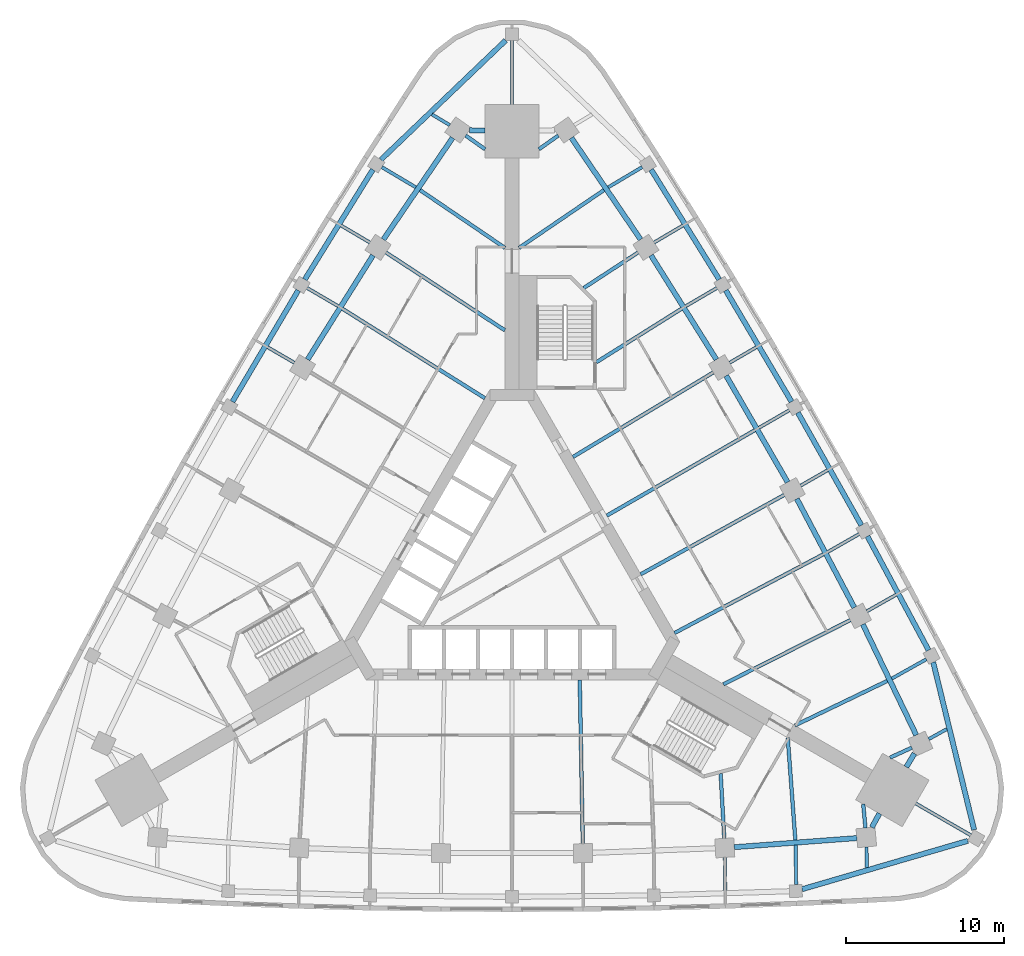
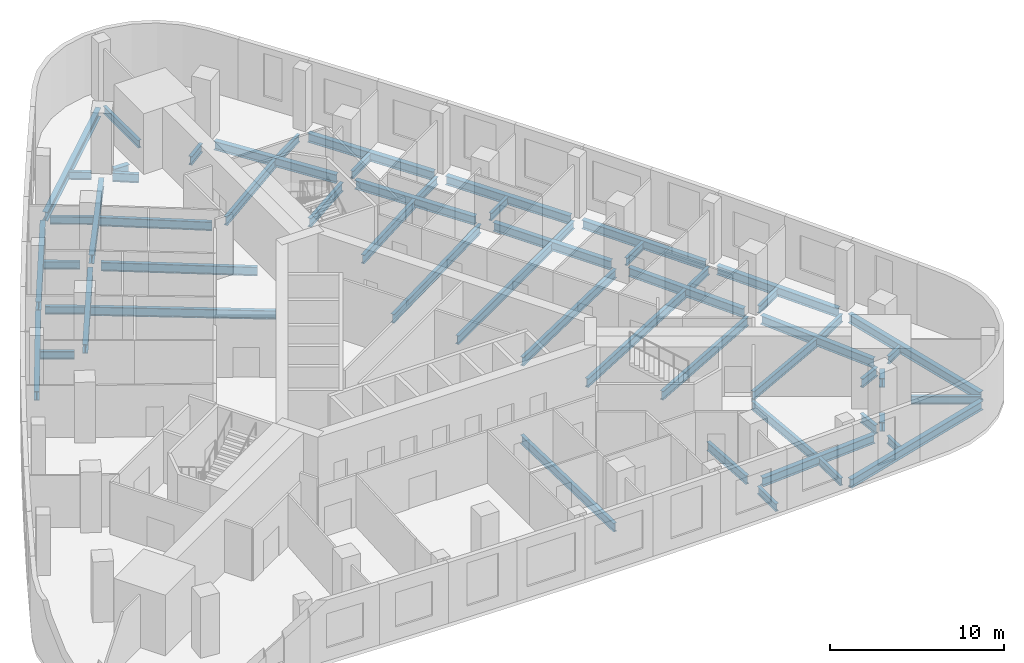
# One storey, part 2 of 11: 59 beams.
"""IFC4 building model written with IfcOpenShell, lengths in metres."""

from ifc_helpers import new_model, si_unit, direction, frame, origin, origin_2d, place, context, subcontext, project, spatial, i_section, extrude, material, material_profile, profile_set, type_object, element, save


model = new_model("IFC4")

# Units and contexts
model_context = context("Model", 3, precision=1e-05, world=origin(), true_north=direction((0.0, 1.0)))
body_context = subcontext(model_context, "Body", "Model", "MODEL_VIEW")
ifc_project = project(units=[si_unit("LENGTHUNIT", "METRE"), si_unit("AREAUNIT", "SQUARE_METRE"), si_unit("VOLUMEUNIT", "CUBIC_METRE"), si_unit("PLANEANGLEUNIT", "RADIAN"), si_unit("MASSUNIT", "GRAM", prefix="KILO")], contexts=[model_context])

# Site, building, storey
site_placement = place(None, origin())
site = spatial("IfcSite", under=ifc_project, at=site_placement, CompositionType="ELEMENT")
building_placement = place(site_placement, origin())
building = spatial("IfcBuilding", under=site, at=building_placement, Name="Noor Cloister Tower", CompositionType="ELEMENT")
storey_placement = place(building_placement, frame((0.0, 0.0, 6.0)))
storey = spatial("IfcBuildingStorey", under=building, at=storey_placement, Name="L01", CompositionType="ELEMENT", Elevation=6.0)

# Beams
ifc_material_1 = material(Name="Steel ASTM A992 Gr 50", Category="steel")
ifc_material_profile_1 = material_profile(ifc_material_1, i_section(OverallWidth=0.324951171875, OverallDepth=0.612060546875, WebThickness=0.0126953125, FlangeThickness=0.01904296875, FilletRadius=0.0126953125, at=origin_2d()), Name="W610x155")
ifc_profile_set_1 = profile_set([ifc_material_profile_1], Name="Steel ASTM A992 Gr 50")
beam_type_1 = type_object("IfcBeamType", Name="Podium column line beam W610x155", PredefinedType="BEAM", material=ifc_profile_set_1)
for number, where, z_axis, x_axis, name in (
    (1, (-3.7587890625, 27.36376953125, -0.555908203125), (-0.562836146896, -0.826568491867, 0.0), (0.826568491867, -0.562836146896, 0.0), "Podium column line beam NW 00 L01"),
    (2, (-8.7939453125, 19.9296875, -0.555908203125), (-0.531794830589, -0.846873224373, 0.0), (0.846873224373, -0.531794830589, 0.0), "Podium column line beam NW 02 L01"),
):
    element("IfcBeam", number, at=place(storey_placement, frame(where, z_axis=z_axis, x_axis=x_axis)), inside=storey, type_object=beam_type_1, Name=name, PredefinedType="BEAM", context=body_context, shape_type="SweptSolid", body=[
        extrude(i_section(OverallWidth=0.324951171875, OverallDepth=0.612060546875, WebThickness=0.0126953125, FlangeThickness=0.01904296875, FilletRadius=0.0126953125, at=origin_2d()), origin(), (0.0, 0.0, 1.0), 7.77880859375),
    ])
beam_1_placement = place(storey_placement, frame((14.060791015625, -17.513916015625, -0.555908203125), z_axis=(0.997246218275, 0.074161850945, 0.0), x_axis=(-0.074161850945, 0.997246218275, 0.0)))
element("IfcBeam", 3, at=beam_1_placement, inside=storey, type_object=beam_type_1, Name="Podium column line beam S 08 L01", PredefinedType="BEAM", context=body_context, shape_type="SweptSolid", body=[
    extrude(i_section(OverallWidth=0.324951171875, OverallDepth=0.612060546875, WebThickness=0.0126953125, FlangeThickness=0.01904296875, FilletRadius=0.0126953125, at=origin_2d()), origin(), (0.0, 0.0, 1.0), 7.779052734375),
])
for number, where, z_axis, x_axis, name in (
    (4, (25.5771484375, -10.4267578125, -0.555908203125), (-0.434400589533, 0.900719783181, 0.0), (-0.900719783181, -0.434400589533, 0.0), "Podium column line beam NE 00 L01"),
    (5, (21.65673828125, -2.34912109375, -0.555908203125), (-0.467547366886, 0.883968019624, 0.0), (-0.883968019624, -0.467547366886, 0.0), "Podium column line beam NE 02 L01"),
):
    element("IfcBeam", number, at=place(storey_placement, frame(where, z_axis=z_axis, x_axis=x_axis)), inside=storey, type_object=beam_type_1, Name=name, PredefinedType="BEAM", context=body_context, shape_type="SweptSolid", body=[
        extrude(i_section(OverallWidth=0.324951171875, OverallDepth=0.612060546875, WebThickness=0.0126953125, FlangeThickness=0.01904296875, FilletRadius=0.0126953125, at=origin_2d()), origin(), (0.0, 0.0, 1.0), 7.77880859375),
    ])
beam_2_placement = place(storey_placement, frame((17.439208984375, 5.577392578125, -0.555908203125), z_axis=(-0.499990506207, 0.866030884959, 0.0), x_axis=(-0.866030884959, -0.499990506207, 0.0)))
element("IfcBeam", 6, at=beam_2_placement, inside=storey, type_object=beam_type_1, Name="Podium column line beam NE 04 L01", PredefinedType="BEAM", context=body_context, shape_type="SweptSolid", body=[
    extrude(i_section(OverallWidth=0.324951171875, OverallDepth=0.612060546875, WebThickness=0.0126953125, FlangeThickness=0.01904296875, FilletRadius=0.0126953125, at=origin_2d()), origin(), (0.0, 0.0, 1.0), 7.779052734375),
])
for number, where, z_axis, x_axis, name in (
    (7, (12.9306640625, 13.342041015625, -0.555908203125), (-0.531794830589, 0.846873224373, 0.0), (-0.846873224373, -0.531794830589, 0.0), "Podium column line beam NE 06 L01"),
    (8, (8.136962890625, 20.93408203125, -0.555908203125), (-0.562836146896, 0.826568491867, 0.0), (-0.826568491867, -0.562836146896, 0.0), "Podium column line beam NE 08 L01"),
):
    element("IfcBeam", number, at=place(storey_placement, frame(where, z_axis=z_axis, x_axis=x_axis)), inside=storey, type_object=beam_type_1, Name=name, PredefinedType="BEAM", context=body_context, shape_type="SweptSolid", body=[
        extrude(i_section(OverallWidth=0.324951171875, OverallDepth=0.612060546875, WebThickness=0.0126953125, FlangeThickness=0.01904296875, FilletRadius=0.0126953125, at=origin_2d()), origin(), (0.0, 0.0, 1.0), 7.77880859375),
    ])
for number, where, z_axis, x_axis, name in (
    (9, (-2.6962890625, 27.8447265625, -0.555908203125), (0.999788233423, -0.020578831563, 0.0), (0.020578831563, 0.999788233423, 0.0), "Podium end beam NW 00 L01"),
    (10, (22.76611328125, -16.257568359375, -0.555908203125), (0.48185292196, 0.876252110753, 0.0), (-0.876252110753, 0.48185292196, 0.0), "Podium end beam S 10 L01"),
    (11, (25.46240234375, -11.58740234375, -0.555908203125), (-0.517698861359, -0.855562907651, 0.0), (0.855562907651, -0.517698861359, 0.0), "Podium end beam NE 00 L01"),
):
    element("IfcBeam", number, at=place(storey_placement, frame(where, z_axis=z_axis, x_axis=x_axis)), inside=storey, type_object=beam_type_1, Name=name, PredefinedType="BEAM", context=body_context, shape_type="SweptSolid", body=[
        extrude(i_section(OverallWidth=0.324951171875, OverallDepth=0.612060546875, WebThickness=0.0126953125, FlangeThickness=0.01904296875, FilletRadius=0.0126953125, at=origin_2d()), origin(), (0.0, 0.0, 1.0), 0.99658203125),
    ])
ifc_material_2 = material(Name="Steel ASTM A992 Gr 50", Category="steel")
ifc_material_profile_2 = material_profile(ifc_material_2, i_section(OverallWidth=0.324951171875, OverallDepth=0.616943359375, WebThickness=0.013916015625, FlangeThickness=0.021484375, FilletRadius=0.0126953125, at=origin_2d()), Name="W610x174")
ifc_profile_set_2 = profile_set([ifc_material_profile_2], Name="Steel ASTM A992 Gr 50")
beam_type_2 = type_object("IfcBeamType", Name="Podium perimeter beam W610x174", PredefinedType="BEAM", material=ifc_profile_set_2)
beam_3_placement = place(storey_placement, frame((-0.39990234375, 33.530517578125, -0.55859375), z_axis=(-0.722642827837, -0.691221631154, 0.0), x_axis=(0.691221631154, -0.722642827837, 0.0)))
element("IfcBeam", 12, at=beam_3_placement, inside=storey, type_object=beam_type_2, Name="Podium perimeter beam 01 L01", PredefinedType="BEAM", context=body_context, shape_type="SweptSolid", body=[
    extrude(i_section(OverallWidth=0.324951171875, OverallDepth=0.616943359375, WebThickness=0.013916015625, FlangeThickness=0.021484375, FilletRadius=0.0126953125, at=origin_2d()), origin(), (0.0, 0.0, 1.0), 10.924560546875),
])
beam_4_placement = place(storey_placement, frame((-8.802978515625, 25.3544921875, -0.55859375), z_axis=(-0.526431670639, -0.85021744051, 0.0), x_axis=(0.85021744051, -0.526431670639, 0.0)))
element("IfcBeam", 13, at=beam_4_placement, inside=storey, type_object=beam_type_2, Name="Podium perimeter beam 02 L01", PredefinedType="BEAM", context=body_context, shape_type="SweptSolid", body=[
    extrude(i_section(OverallWidth=0.324951171875, OverallDepth=0.616943359375, WebThickness=0.013916015625, FlangeThickness=0.021484375, FilletRadius=0.0126953125, at=origin_2d()), origin(), (0.0, 0.0, 1.0), 8.180419921875),
])
beam_5_placement = place(storey_placement, frame((-13.5234375, 17.71484375, -0.55859375), z_axis=(-0.508871084259, -0.860842738022, 0.0), x_axis=(0.860842738022, -0.508871084259, 0.0)))
element("IfcBeam", 14, at=beam_5_placement, inside=storey, type_object=beam_type_2, Name="Podium perimeter beam 03 L01", PredefinedType="BEAM", context=body_context, shape_type="SweptSolid", body=[
    extrude(i_section(OverallWidth=0.324951171875, OverallDepth=0.616943359375, WebThickness=0.013916015625, FlangeThickness=0.021484375, FilletRadius=0.0126953125, at=origin_2d()), origin(), (0.0, 0.0, 1.0), 8.18017578125),
])
for number, where, z_axis, x_axis, name in (
    (15, (18.3515625, -20.1728515625, -0.55859375), (0.959935397728, 0.280221398522, 0.0), (-0.280221398522, 0.959935397728, 0.0), "Podium perimeter beam 12 L01"),
    (16, (29.23828125, -16.4189453125, -0.55859375), (-0.237289539542, 0.971438971024, 0.0), (-0.971438971024, -0.237289539542, 0.0), "Podium perimeter beam 13 L01"),
):
    element("IfcBeam", number, at=place(storey_placement, frame(where, z_axis=z_axis, x_axis=x_axis)), inside=storey, type_object=beam_type_2, Name=name, PredefinedType="BEAM", context=body_context, shape_type="SweptSolid", body=[
        extrude(i_section(OverallWidth=0.324951171875, OverallDepth=0.616943359375, WebThickness=0.013916015625, FlangeThickness=0.021484375, FilletRadius=0.0126953125, at=origin_2d()), origin(), (0.0, 0.0, 1.0), 10.924560546875),
    ])
for number, where, z_axis, x_axis, name in (
    (17, (26.35888671875, -5.0537109375, -0.55859375), (-0.47307258725, 0.881023454394, 0.0), (-0.881023454394, -0.47307258725, 0.0), "Podium perimeter beam 14 L01"),
    (18, (22.103271484375, 2.854248046875, -0.55859375), (-0.491071539523, 0.871119247331, 0.0), (-0.871119247331, -0.491071539523, 0.0), "Podium perimeter beam 15 L01"),
    (19, (17.68603515625, 10.673095703125, -0.55859375), (-0.508871084259, 0.860842738022, 0.0), (-0.860842738022, -0.508871084259, 0.0), "Podium perimeter beam 16 L01"),
):
    element("IfcBeam", number, at=place(storey_placement, frame(where, z_axis=z_axis, x_axis=x_axis)), inside=storey, type_object=beam_type_2, Name=name, PredefinedType="BEAM", context=body_context, shape_type="SweptSolid", body=[
        extrude(i_section(OverallWidth=0.324951171875, OverallDepth=0.616943359375, WebThickness=0.013916015625, FlangeThickness=0.021484375, FilletRadius=0.0126953125, at=origin_2d()), origin(), (0.0, 0.0, 1.0), 8.18017578125),
    ])
beam_6_placement = place(storey_placement, frame((13.109375, 18.3994140625, -0.55859375), z_axis=(-0.526431670639, 0.85021744051, 0.0), x_axis=(-0.85021744051, -0.526431670639, 0.0)))
element("IfcBeam", 20, at=beam_6_placement, inside=storey, type_object=beam_type_2, Name="Podium perimeter beam 17 L01", PredefinedType="BEAM", context=body_context, shape_type="SweptSolid", body=[
    extrude(i_section(OverallWidth=0.324951171875, OverallDepth=0.616943359375, WebThickness=0.013916015625, FlangeThickness=0.021484375, FilletRadius=0.0126953125, at=origin_2d()), origin(), (0.0, 0.0, 1.0), 8.180419921875),
])
ifc_material_3 = material(Name="Steel ASTM A992 Gr 50", Category="steel")
ifc_material_profile_3 = material_profile(ifc_material_3, i_section(OverallWidth=0.22900390625, OverallDepth=0.612060546875, WebThickness=0.011962890625, FlangeThickness=0.01953125, FilletRadius=0.0126953125, at=origin_2d()), Name="W610x125")
ifc_profile_set_3 = profile_set([ifc_material_profile_3], Name="Steel ASTM A992 Gr 50")
beam_type_3 = type_object("IfcBeamType", Name="Podium radial beam W610x125", PredefinedType="BEAM", material=ifc_profile_set_3)
beam_7_placement = place(storey_placement, frame((-2.931396484375, 27.512939453125, -0.555908203125), z_axis=(0.816011763041, -0.578035295271, 0.0), x_axis=(0.578035295271, 0.816011763041, 0.0)))
element("IfcBeam", 21, at=beam_7_placement, inside=storey, type_object=beam_type_3, Name="Podium radial beam NW 00 L01", PredefinedType="BEAM", context=body_context, shape_type="SweptSolid", body=[
    extrude(i_section(OverallWidth=0.22900390625, OverallDepth=0.612060546875, WebThickness=0.011962890625, FlangeThickness=0.01953125, FilletRadius=0.0126953125, at=origin_2d()), origin(), (0.0, 0.0, 1.0), 1.509033203125),
])
beam_8_placement = place(storey_placement, frame((-5.813720703125, 24.057373046875, -0.555908203125), z_axis=(0.826586958388, -0.562809026423, 0.0), x_axis=(0.562809026423, 0.826586958388, 0.0)))
element("IfcBeam", 22, at=beam_8_placement, inside=storey, type_object=beam_type_3, Name="Podium radial beam NW 01 L01", PredefinedType="BEAM", context=body_context, shape_type="SweptSolid", body=[
    extrude(i_section(OverallWidth=0.22900390625, OverallDepth=0.612060546875, WebThickness=0.011962890625, FlangeThickness=0.01953125, FilletRadius=0.0126953125, at=origin_2d()), origin(), (0.0, 0.0, 1.0), 6.489013671875),
])
beam_9_placement = place(storey_placement, frame((-7.97265625, 20.109619140625, -0.555908203125), z_axis=(0.836869601911, -0.547402292101, 0.0), x_axis=(0.547402292101, 0.836869601911, 0.0)))
element("IfcBeam", 23, at=beam_9_placement, inside=storey, type_object=beam_type_3, Name="Podium radial beam NW 02 L01", PredefinedType="BEAM", context=body_context, shape_type="SweptSolid", body=[
    extrude(i_section(OverallWidth=0.22900390625, OverallDepth=0.612060546875, WebThickness=0.011962890625, FlangeThickness=0.01953125, FilletRadius=0.0126953125, at=origin_2d()), origin(), (0.0, 0.0, 1.0), 8.989013671875),
])
beam_10_placement = place(storey_placement, frame((-10.724609375, 16.549560546875, -0.555908203125), z_axis=(0.846875091453, -0.531791857287, 0.0), x_axis=(0.531791857287, 0.846875091453, 0.0)))
element("IfcBeam", 24, at=beam_10_placement, inside=storey, type_object=beam_type_3, Name="Podium radial beam NW 03 L01", PredefinedType="BEAM", context=body_context, shape_type="SweptSolid", body=[
    extrude(i_section(OverallWidth=0.22900390625, OverallDepth=0.612060546875, WebThickness=0.011962890625, FlangeThickness=0.01953125, FilletRadius=0.0126953125, at=origin_2d()), origin(), (0.0, 0.0, 1.0), 10.6416015625),
])
beam_11_placement = place(storey_placement, frame((4.478515625, -17.29150390625, -0.555908203125), z_axis=(-0.018560692037, 0.999827735518, 0.0), x_axis=(-0.999827735518, -0.018560692037, 0.0)))
element("IfcBeam", 25, at=beam_11_placement, inside=storey, type_object=beam_type_3, Name="Podium radial beam S 06 L01", PredefinedType="BEAM", context=body_context, shape_type="SweptSolid", body=[
    extrude(i_section(OverallWidth=0.22900390625, OverallDepth=0.612060546875, WebThickness=0.011962890625, FlangeThickness=0.01953125, FilletRadius=0.0126953125, at=origin_2d()), origin(), (0.0, 0.0, 1.0), 10.364990234375),
])
beam_12_placement = place(storey_placement, frame((13.428955078125, -16.959228515625, -0.555908203125), z_axis=(-0.055591728913, 0.998453584137, 0.0), x_axis=(-0.998453584137, -0.055591728913, 0.0)))
element("IfcBeam", 26, at=beam_12_placement, inside=storey, type_object=beam_type_3, Name="Podium radial beam S 08 L01", PredefinedType="BEAM", context=body_context, shape_type="SweptSolid", body=[
    extrude(i_section(OverallWidth=0.22900390625, OverallDepth=0.612060546875, WebThickness=0.011962890625, FlangeThickness=0.01953125, FilletRadius=0.0126953125, at=origin_2d()), origin(), (0.0, 0.0, 1.0), 4.110595703125),
])
beam_13_placement = place(storey_placement, frame((17.927490234375, -17.0634765625, -0.555908203125), z_axis=(-0.074118366359, 0.997249451125, 0.0), x_axis=(-0.997249451125, -0.074118366359, 0.0)))
element("IfcBeam", 27, at=beam_13_placement, inside=storey, type_object=beam_type_3, Name="Podium radial beam S 09 L01", PredefinedType="BEAM", context=body_context, shape_type="SweptSolid", body=[
    extrude(i_section(OverallWidth=0.22900390625, OverallDepth=0.612060546875, WebThickness=0.011962890625, FlangeThickness=0.01953125, FilletRadius=0.0126953125, at=origin_2d()), origin(), (0.0, 0.0, 1.0), 6.489013671875),
])
for number, where, z_axis, x_axis, name in (
    (28, (22.361328125, -16.295166015625, -0.555908203125), (-0.09269423525, 0.995694621233, 0.0), (-0.995694621233, -0.09269423525, 0.0), "Podium radial beam S 10 L01"),
    (29, (25.292724609375, -11.2177734375, -0.555908203125), (-0.908602193803, -0.417662607157, 0.0), (0.417662607157, -0.908602193803, 0.0), "Podium radial beam NE 00 L01"),
):
    element("IfcBeam", number, at=place(storey_placement, frame(where, z_axis=z_axis, x_axis=x_axis)), inside=storey, type_object=beam_type_3, Name=name, PredefinedType="BEAM", context=body_context, shape_type="SweptSolid", body=[
        extrude(i_section(OverallWidth=0.22900390625, OverallDepth=0.612060546875, WebThickness=0.011962890625, FlangeThickness=0.01953125, FilletRadius=0.0126953125, at=origin_2d()), origin(), (0.0, 0.0, 1.0), 1.50927734375),
    ])
beam_14_placement = place(storey_placement, frame((23.7412109375, -6.993896484375, -0.555908203125), z_axis=(-0.900702438264, -0.43443655199, 0.0), x_axis=(0.43443655199, -0.900702438264, 0.0)))
element("IfcBeam", 30, at=beam_14_placement, inside=storey, type_object=beam_type_3, Name="Podium radial beam NE 01 L01", PredefinedType="BEAM", context=body_context, shape_type="SweptSolid", body=[
    extrude(i_section(OverallWidth=0.22900390625, OverallDepth=0.612060546875, WebThickness=0.011962890625, FlangeThickness=0.01953125, FilletRadius=0.0126953125, at=origin_2d()), origin(), (0.0, 0.0, 1.0), 6.489013671875),
])
beam_15_placement = place(storey_placement, frame((21.401611328125, -3.150146484375, -0.555908203125), z_axis=(-0.892490546955, -0.451066096705, 0.0), x_axis=(0.451066096705, -0.892490546955, 0.0)))
element("IfcBeam", 31, at=beam_15_placement, inside=storey, type_object=beam_type_3, Name="Podium radial beam NE 02 L01", PredefinedType="BEAM", context=body_context, shape_type="SweptSolid", body=[
    extrude(i_section(OverallWidth=0.22900390625, OverallDepth=0.612060546875, WebThickness=0.011962890625, FlangeThickness=0.01953125, FilletRadius=0.0126953125, at=origin_2d()), origin(), (0.0, 0.0, 1.0), 8.989013671875),
])
beam_16_placement = place(storey_placement, frame((19.694580078125, 1.01318359375, -0.555908203125), z_axis=(-0.883975349121, -0.467533509116, 0.0), x_axis=(0.467533509116, -0.883975349121, 0.0)))
element("IfcBeam", 32, at=beam_16_placement, inside=storey, type_object=beam_type_3, Name="Podium radial beam NE 03 L01", PredefinedType="BEAM", context=body_context, shape_type="SweptSolid", body=[
    extrude(i_section(OverallWidth=0.22900390625, OverallDepth=0.612060546875, WebThickness=0.011962890625, FlangeThickness=0.01953125, FilletRadius=0.0126953125, at=origin_2d()), origin(), (0.0, 0.0, 1.0), 10.6416015625),
])
beam_17_placement = place(storey_placement, frame((17.214111328125, 4.767333984375, -0.555908203125), z_axis=(-0.875152039929, -0.483848020568, 0.0), x_axis=(0.483848020568, -0.875152039929, 0.0)))
element("IfcBeam", 33, at=beam_17_placement, inside=storey, type_object=beam_type_3, Name="Podium radial beam NE 04 L01", PredefinedType="BEAM", context=body_context, shape_type="SweptSolid", body=[
    extrude(i_section(OverallWidth=0.22900390625, OverallDepth=0.612060546875, WebThickness=0.011962890625, FlangeThickness=0.01953125, FilletRadius=0.0126953125, at=origin_2d()), origin(), (0.0, 0.0, 1.0), 10.364990234375),
])
beam_18_placement = place(storey_placement, frame((15.353759765625, 8.864501953125, -0.555908203125), z_axis=(-0.866025607992, -0.499999646302, 0.0), x_axis=(0.499999646302, -0.866025607992, 0.0)))
element("IfcBeam", 34, at=beam_18_placement, inside=storey, type_object=beam_type_3, Name="Podium radial beam NE 05 L01", PredefinedType="BEAM", context=body_context, shape_type="SweptSolid", body=[
    extrude(i_section(OverallWidth=0.22900390625, OverallDepth=0.612060546875, WebThickness=0.011962890625, FlangeThickness=0.01953125, FilletRadius=0.0126953125, at=origin_2d()), origin(), (0.0, 0.0, 1.0), 10.80078125),
])
beam_19_placement = place(storey_placement, frame((12.73583984375, 12.524169921875, -0.555908203125), z_axis=(-0.856606308575, -0.515970572911, 0.0), x_axis=(0.515970572911, -0.856606308575, 0.0)))
element("IfcBeam", 35, at=beam_19_placement, inside=storey, type_object=beam_type_3, Name="Podium radial beam NE 06 L01", PredefinedType="BEAM", context=body_context, shape_type="SweptSolid", body=[
    extrude(i_section(OverallWidth=0.22900390625, OverallDepth=0.612060546875, WebThickness=0.011962890625, FlangeThickness=0.01953125, FilletRadius=0.0126953125, at=origin_2d()), origin(), (0.0, 0.0, 1.0), 10.365234375),
])
beam_20_placement = place(storey_placement, frame((10.724609375, 16.549560546875, -0.555908203125), z_axis=(-0.846869093356, -0.531801409098, 0.0), x_axis=(0.531801409098, -0.846869093356, 0.0)))
element("IfcBeam", 36, at=beam_20_placement, inside=storey, type_object=beam_type_3, Name="Podium radial beam NE 07 L01", PredefinedType="BEAM", context=body_context, shape_type="SweptSolid", body=[
    extrude(i_section(OverallWidth=0.22900390625, OverallDepth=0.612060546875, WebThickness=0.011962890625, FlangeThickness=0.01953125, FilletRadius=0.0126953125, at=origin_2d()), origin(), (0.0, 0.0, 1.0), 6.36328125),
])
beam_21_placement = place(storey_placement, frame((7.97265625, 20.109619140625, -0.555908203125), z_axis=(-0.836852408304, -0.547428576816, 0.0), x_axis=(0.547428576816, -0.836852408304, 0.0)))
element("IfcBeam", 37, at=beam_21_placement, inside=storey, type_object=beam_type_3, Name="Podium radial beam NE 08 L01", PredefinedType="BEAM", context=body_context, shape_type="SweptSolid", body=[
    extrude(i_section(OverallWidth=0.22900390625, OverallDepth=0.612060546875, WebThickness=0.011962890625, FlangeThickness=0.01953125, FilletRadius=0.0126953125, at=origin_2d()), origin(), (0.0, 0.0, 1.0), 4.110595703125),
])
beam_22_placement = place(storey_placement, frame((5.813720703125, 24.057373046875, -0.555908203125), z_axis=(-0.826586958388, -0.562809026423, 0.0), x_axis=(0.562809026423, -0.826586958388, 0.0)))
element("IfcBeam", 38, at=beam_22_placement, inside=storey, type_object=beam_type_3, Name="Podium radial beam NE 09 L01", PredefinedType="BEAM", context=body_context, shape_type="SweptSolid", body=[
    extrude(i_section(OverallWidth=0.22900390625, OverallDepth=0.612060546875, WebThickness=0.011962890625, FlangeThickness=0.01953125, FilletRadius=0.0126953125, at=origin_2d()), origin(), (0.0, 0.0, 1.0), 6.489013671875),
])
beam_23_placement = place(storey_placement, frame((2.931396484375, 27.512939453125, -0.555908203125), z_axis=(-0.816011763041, -0.578035295271, 0.0), x_axis=(0.578035295271, -0.816011763041, 0.0)))
element("IfcBeam", 39, at=beam_23_placement, inside=storey, type_object=beam_type_3, Name="Podium radial beam NE 10 L01", PredefinedType="BEAM", context=body_context, shape_type="SweptSolid", body=[
    extrude(i_section(OverallWidth=0.22900390625, OverallDepth=0.612060546875, WebThickness=0.011962890625, FlangeThickness=0.01953125, FilletRadius=0.0126953125, at=origin_2d()), origin(), (0.0, 0.0, 1.0), 1.509033203125),
])
ifc_material_4 = material(Name="Steel ASTM A992 Gr 50", Category="steel")
ifc_material_profile_4 = material_profile(ifc_material_4, i_section(OverallWidth=0.208984375, OverallDepth=0.532958984375, WebThickness=0.01025390625, FlangeThickness=0.015625, FilletRadius=0.0126953125, at=origin_2d()), Name="W530x92")
ifc_profile_set_4 = profile_set([ifc_material_profile_4], Name="Steel ASTM A992 Gr 50")
beam_type_4 = type_object("IfcBeamType", Name="Podium stub beam W530x92", PredefinedType="BEAM", material=ifc_profile_set_4)
beam_24_placement = place(storey_placement, frame((-3.936767578125, 28.169921875, -0.5166015625), z_axis=(-0.85703318355, 0.515261217534, 0.0), x_axis=(-0.515261217534, -0.85703318355, 0.0)))
element("IfcBeam", 40, at=beam_24_placement, inside=storey, type_object=beam_type_4, Name="Podium stub beam NW 00 L01", PredefinedType="BEAM", context=body_context, shape_type="SweptSolid", body=[
    extrude(i_section(OverallWidth=0.208984375, OverallDepth=0.532958984375, WebThickness=0.01025390625, FlangeThickness=0.015625, FilletRadius=0.0126953125, at=origin_2d()), origin(), (0.0, 0.0, 1.0), 1.31298828125),
])
beam_25_placement = place(storey_placement, frame((-6.08642578125, 24.234375, -0.5166015625), z_axis=(-0.859392031869, 0.511317255292, 0.0), x_axis=(-0.511317255292, -0.859392031869, 0.0)))
element("IfcBeam", 41, at=beam_25_placement, inside=storey, type_object=beam_type_4, Name="Podium stub beam NW 01 L01", PredefinedType="BEAM", context=body_context, shape_type="SweptSolid", body=[
    extrude(i_section(OverallWidth=0.208984375, OverallDepth=0.532958984375, WebThickness=0.01025390625, FlangeThickness=0.015625, FilletRadius=0.0126953125, at=origin_2d()), origin(), (0.0, 0.0, 1.0), 2.4990234375),
])
beam_26_placement = place(storey_placement, frame((-8.9921875, 20.7431640625, -0.5166015625), z_axis=(-0.861388026726, 0.507947504583, 0.0), x_axis=(-0.507947504583, -0.861388026726, 0.0)))
element("IfcBeam", 42, at=beam_26_placement, inside=storey, type_object=beam_type_4, Name="Podium stub beam NW 02 L01", PredefinedType="BEAM", context=body_context, shape_type="SweptSolid", body=[
    extrude(i_section(OverallWidth=0.208984375, OverallDepth=0.532958984375, WebThickness=0.01025390625, FlangeThickness=0.015625, FilletRadius=0.0126953125, at=origin_2d()), origin(), (0.0, 0.0, 1.0), 2.104736328125),
])
beam_27_placement = place(storey_placement, frame((-11.001953125, 16.71923828125, -0.5166015625), z_axis=(-0.863117063039, 0.505003896511, 0.0), x_axis=(-0.505003896511, -0.863117063039, 0.0)))
element("IfcBeam", 43, at=beam_27_placement, inside=storey, type_object=beam_type_4, Name="Podium stub beam NW 03 L01", PredefinedType="BEAM", context=body_context, shape_type="SweptSolid", body=[
    extrude(i_section(OverallWidth=0.208984375, OverallDepth=0.532958984375, WebThickness=0.01025390625, FlangeThickness=0.015625, FilletRadius=0.0126953125, at=origin_2d()), origin(), (0.0, 0.0, 1.0), 2.277099609375),
])
beam_28_placement = place(storey_placement, frame((-13.7685546875, 13.13525390625, -0.5166015625), z_axis=(-0.864596671595, 0.502466511786, 0.0), x_axis=(-0.502466511786, -0.864596671595, 0.0)))
element("IfcBeam", 44, at=beam_28_placement, inside=storey, type_object=beam_type_4, Name="Podium stub beam NW 04 L01", PredefinedType="BEAM", context=body_context, shape_type="SweptSolid", body=[
    extrude(i_section(OverallWidth=0.208984375, OverallDepth=0.532958984375, WebThickness=0.01025390625, FlangeThickness=0.015625, FilletRadius=0.0126953125, at=origin_2d()), origin(), (0.0, 0.0, 1.0), 1.95703125),
])
beam_29_placement = place(storey_placement, frame((13.468017578125, -18.158935546875, -0.5166015625), z_axis=(0.009163285382, -0.999958016219, 0.0), x_axis=(0.999958016219, 0.009163285382, 0.0)))
element("IfcBeam", 45, at=beam_29_placement, inside=storey, type_object=beam_type_4, Name="Podium stub beam S 08 L01", PredefinedType="BEAM", context=body_context, shape_type="SweptSolid", body=[
    extrude(i_section(OverallWidth=0.208984375, OverallDepth=0.532958984375, WebThickness=0.01025390625, FlangeThickness=0.015625, FilletRadius=0.0126953125, at=origin_2d()), origin(), (0.0, 0.0, 1.0), 2.104736328125),
])
beam_30_placement = place(storey_placement, frame((17.9443359375, -17.38818359375, -0.5166015625), z_axis=(0.013089929593, -0.999914323201, 0.0), x_axis=(0.999914323201, 0.013089929593, 0.0)))
element("IfcBeam", 46, at=beam_30_placement, inside=storey, type_object=beam_type_4, Name="Podium stub beam S 09 L01", PredefinedType="BEAM", context=body_context, shape_type="SweptSolid", body=[
    extrude(i_section(OverallWidth=0.208984375, OverallDepth=0.532958984375, WebThickness=0.01025390625, FlangeThickness=0.015625, FilletRadius=0.0126953125, at=origin_2d()), origin(), (0.0, 0.0, 1.0), 2.499267578125),
])
beam_31_placement = place(storey_placement, frame((22.427490234375, -17.494140625, -0.5166015625), z_axis=(0.017661803966, -0.999844018175, 0.0), x_axis=(0.999844018175, 0.017661803966, 0.0)))
element("IfcBeam", 47, at=beam_31_placement, inside=storey, type_object=beam_type_4, Name="Podium stub beam S 10 L01", PredefinedType="BEAM", context=body_context, shape_type="SweptSolid", body=[
    extrude(i_section(OverallWidth=0.208984375, OverallDepth=0.532958984375, WebThickness=0.01025390625, FlangeThickness=0.015625, FilletRadius=0.0126953125, at=origin_2d()), origin(), (0.0, 0.0, 1.0), 1.313232421875),
])
beam_32_placement = place(storey_placement, frame((26.3642578125, -10.675537109375, -0.5166015625), z_axis=(0.874735573686, 0.484600532531, 0.0), x_axis=(-0.484600532531, 0.874735573686, 0.0)))
element("IfcBeam", 48, at=beam_32_placement, inside=storey, type_object=beam_type_4, Name="Podium stub beam NE 00 L01", PredefinedType="BEAM", context=body_context, shape_type="SweptSolid", body=[
    extrude(i_section(OverallWidth=0.208984375, OverallDepth=0.532958984375, WebThickness=0.01025390625, FlangeThickness=0.015625, FilletRadius=0.0126953125, at=origin_2d()), origin(), (0.0, 0.0, 1.0), 1.31298828125),
])
beam_33_placement = place(storey_placement, frame((24.03076171875, -6.84619140625, -0.5166015625), z_axis=(0.872502684482, 0.488609317933, 0.0), x_axis=(-0.488609317933, 0.872502684482, 0.0)))
element("IfcBeam", 49, at=beam_33_placement, inside=storey, type_object=beam_type_4, Name="Podium stub beam NE 01 L01", PredefinedType="BEAM", context=body_context, shape_type="SweptSolid", body=[
    extrude(i_section(OverallWidth=0.208984375, OverallDepth=0.532958984375, WebThickness=0.01025390625, FlangeThickness=0.015625, FilletRadius=0.0126953125, at=origin_2d()), origin(), (0.0, 0.0, 1.0), 2.499267578125),
])
beam_34_placement = place(storey_placement, frame((22.460205078125, -2.583984375, -0.5166015625), z_axis=(0.870610366402, 0.491973159748, 0.0), x_axis=(-0.491973159748, 0.870610366402, 0.0)))
element("IfcBeam", 50, at=beam_34_placement, inside=storey, type_object=beam_type_4, Name="Podium stub beam NE 02 L01", PredefinedType="BEAM", context=body_context, shape_type="SweptSolid", body=[
    extrude(i_section(OverallWidth=0.208984375, OverallDepth=0.532958984375, WebThickness=0.01025390625, FlangeThickness=0.015625, FilletRadius=0.0126953125, at=origin_2d()), origin(), (0.0, 0.0, 1.0), 2.1044921875),
])
beam_35_placement = place(storey_placement, frame((19.980224609375, 1.16845703125, -0.5166015625), z_axis=(0.868954795395, 0.494891466446, 0.0), x_axis=(-0.494891466446, 0.868954795395, 0.0)))
element("IfcBeam", 51, at=beam_35_placement, inside=storey, type_object=beam_type_4, Name="Podium stub beam NE 03 L01", PredefinedType="BEAM", context=body_context, shape_type="SweptSolid", body=[
    extrude(i_section(OverallWidth=0.208984375, OverallDepth=0.532958984375, WebThickness=0.01025390625, FlangeThickness=0.015625, FilletRadius=0.0126953125, at=origin_2d()), origin(), (0.0, 0.0, 1.0), 2.277099609375),
])
beam_36_placement = place(storey_placement, frame((18.259765625, 5.356201171875, -0.5166015625), z_axis=(0.867389720101, 0.497629453974, 0.0), x_axis=(-0.497629453974, 0.867389720101, 0.0)))
element("IfcBeam", 52, at=beam_36_placement, inside=storey, type_object=beam_type_4, Name="Podium stub beam NE 04 L01", PredefinedType="BEAM", context=body_context, shape_type="SweptSolid", body=[
    extrude(i_section(OverallWidth=0.208984375, OverallDepth=0.532958984375, WebThickness=0.01025390625, FlangeThickness=0.015625, FilletRadius=0.0126953125, at=origin_2d()), origin(), (0.0, 0.0, 1.0), 1.95703125),
])
beam_37_placement = place(storey_placement, frame((15.63525390625, 9.027099609375, -0.5166015625), z_axis=(0.86602503688, 0.500000635496, 0.0), x_axis=(-0.500000635496, 0.86602503688, 0.0)))
element("IfcBeam", 53, at=beam_37_placement, inside=storey, type_object=beam_type_4, Name="Podium stub beam NE 05 L01", PredefinedType="BEAM", context=body_context, shape_type="SweptSolid", body=[
    extrude(i_section(OverallWidth=0.208984375, OverallDepth=0.532958984375, WebThickness=0.01025390625, FlangeThickness=0.015625, FilletRadius=0.0126953125, at=origin_2d()), origin(), (0.0, 0.0, 1.0), 2.203125),
])
beam_38_placement = place(storey_placement, frame((13.7685546875, 13.13525390625, -0.5166015625), z_axis=(0.864596671595, 0.502466511786, 0.0), x_axis=(-0.502466511786, 0.864596671595, 0.0)))
element("IfcBeam", 54, at=beam_38_placement, inside=storey, type_object=beam_type_4, Name="Podium stub beam NE 06 L01", PredefinedType="BEAM", context=body_context, shape_type="SweptSolid", body=[
    extrude(i_section(OverallWidth=0.208984375, OverallDepth=0.532958984375, WebThickness=0.01025390625, FlangeThickness=0.015625, FilletRadius=0.0126953125, at=origin_2d()), origin(), (0.0, 0.0, 1.0), 1.95703125),
])
beam_39_placement = place(storey_placement, frame((11.001953125, 16.71923828125, -0.5166015625), z_axis=(0.863117063039, 0.505003896511, 0.0), x_axis=(-0.505003896511, 0.863117063039, 0.0)))
element("IfcBeam", 55, at=beam_39_placement, inside=storey, type_object=beam_type_4, Name="Podium stub beam NE 07 L01", PredefinedType="BEAM", context=body_context, shape_type="SweptSolid", body=[
    extrude(i_section(OverallWidth=0.208984375, OverallDepth=0.532958984375, WebThickness=0.01025390625, FlangeThickness=0.015625, FilletRadius=0.0126953125, at=origin_2d()), origin(), (0.0, 0.0, 1.0), 2.277099609375),
])
beam_40_placement = place(storey_placement, frame((8.9921875, 20.7431640625, -0.5166015625), z_axis=(0.861388026726, 0.507947504583, 0.0), x_axis=(-0.507947504583, 0.861388026726, 0.0)))
element("IfcBeam", 56, at=beam_40_placement, inside=storey, type_object=beam_type_4, Name="Podium stub beam NE 08 L01", PredefinedType="BEAM", context=body_context, shape_type="SweptSolid", body=[
    extrude(i_section(OverallWidth=0.208984375, OverallDepth=0.532958984375, WebThickness=0.01025390625, FlangeThickness=0.015625, FilletRadius=0.0126953125, at=origin_2d()), origin(), (0.0, 0.0, 1.0), 2.104736328125),
])
beam_41_placement = place(storey_placement, frame((6.08642578125, 24.234375, -0.5166015625), z_axis=(0.859392031869, 0.511317255292, 0.0), x_axis=(-0.511317255292, 0.859392031869, 0.0)))
element("IfcBeam", 57, at=beam_41_placement, inside=storey, type_object=beam_type_4, Name="Podium stub beam NE 09 L01", PredefinedType="BEAM", context=body_context, shape_type="SweptSolid", body=[
    extrude(i_section(OverallWidth=0.208984375, OverallDepth=0.532958984375, WebThickness=0.01025390625, FlangeThickness=0.015625, FilletRadius=0.0126953125, at=origin_2d()), origin(), (0.0, 0.0, 1.0), 2.4990234375),
])
for number, where, z_axis, x_axis, name in (
    (58, (0.0, 29.489013671875, -0.5166015625), (0.0, 1.0, 0.0), (-1.0, 0.0, 0.0), "Podium corner stub beam N L01"),
    (59, (25.538330078125, -14.744384765625, -0.5166015625), (0.866001699761, -0.500041054325, 0.0), (0.500041054325, 0.866001699761, 0.0), "Podium corner stub beam SE L01"),
):
    element("IfcBeam", number, at=place(storey_placement, frame(where, z_axis=z_axis, x_axis=x_axis)), inside=storey, type_object=beam_type_4, Name=name, PredefinedType="BEAM", context=body_context, shape_type="SweptSolid", body=[
        extrude(i_section(OverallWidth=0.208984375, OverallDepth=0.532958984375, WebThickness=0.01025390625, FlangeThickness=0.015625, FilletRadius=0.0126953125, at=origin_2d()), origin(), (0.0, 0.0, 1.0), 4.024169921875),
    ])

save(model, "model.ifc")
